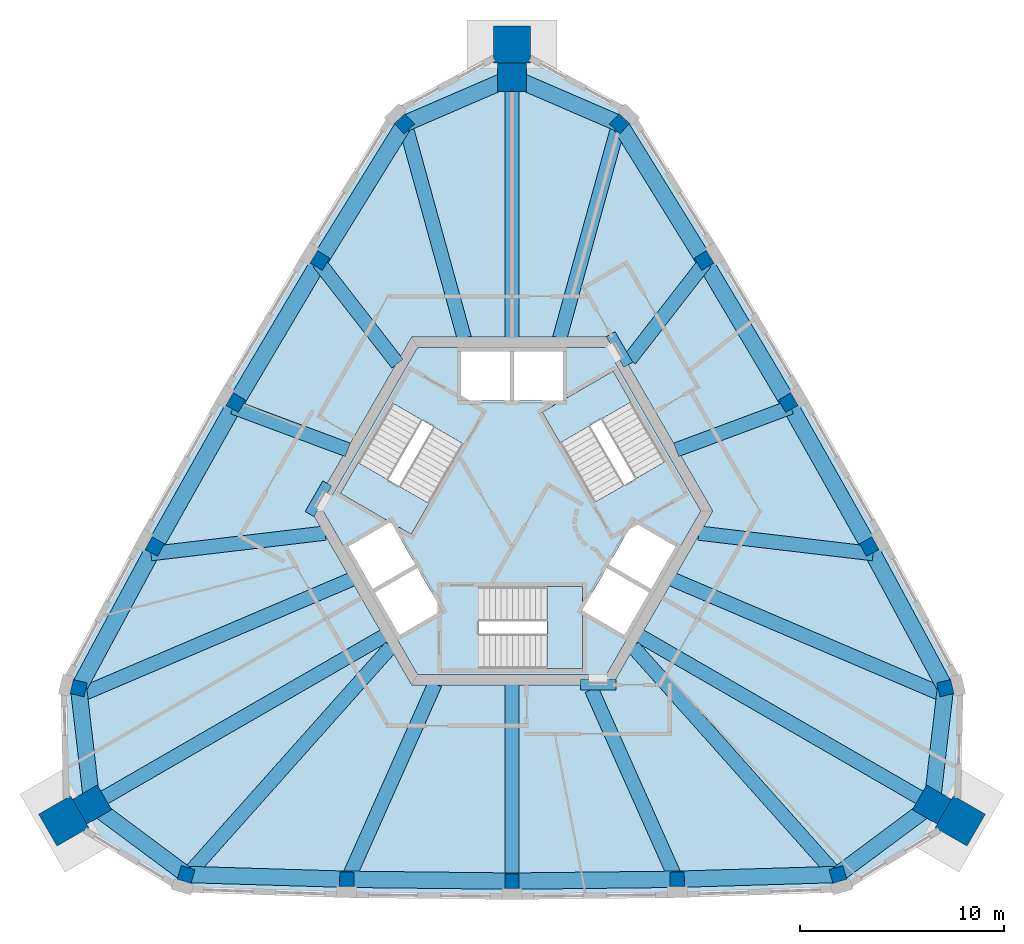
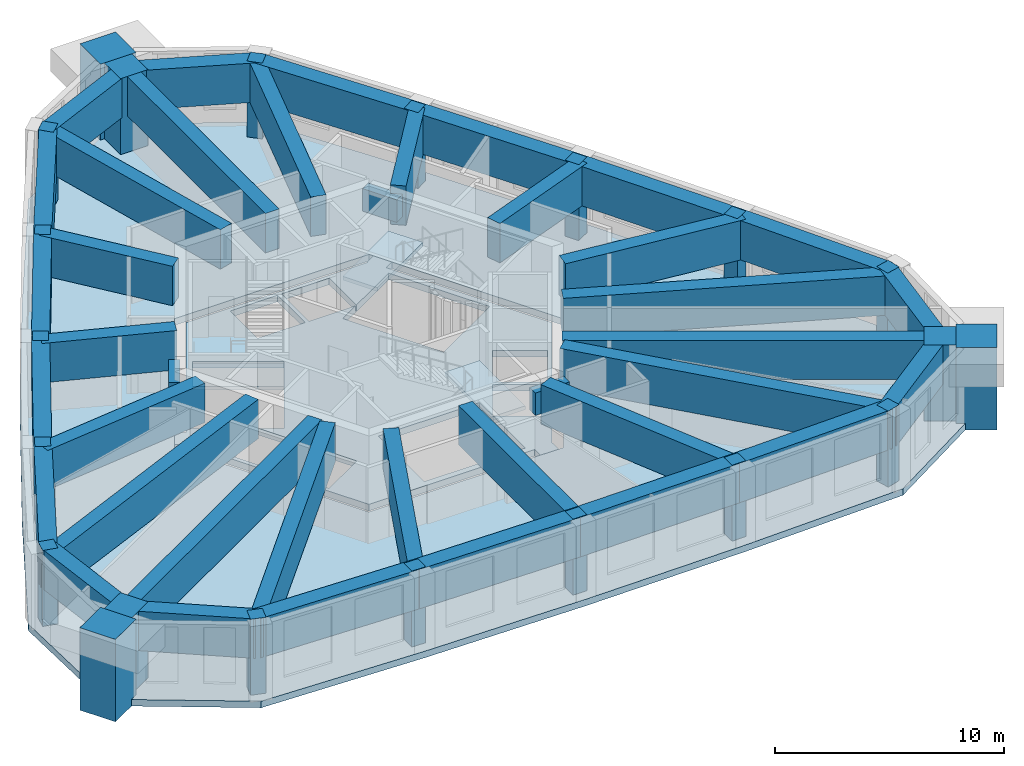
# One storey, part 1 of 9: 39 beams, 21 columns, 5 slabs, 3 elements without a shape of their own.
"""IFC4 building model written with IfcOpenShell, lengths in metres."""

import ifcopenshell
import ifcopenshell.guid

model = None  # the IFC model being written
_history = None  # IfcOwnerHistory: only IFC2X3 demands one
_inside = {}  # id of a spatial element -> (the spatial element, [elements in it])
_under = {}  # id of a project, library or spatial element -> (it, [spatial elements below it])
_declared = {}  # id of a project -> (the project, [libraries it declares])
_typed = {}  # id of a type object -> (the type object, [elements of that type])
_made_of = {}  # id of a material, layer set ... -> (it, [elements and type objects made of it])


def new_model(schema):
    """Start an empty IFC model of exactly this schema.

    Asked for "IFC4X3", IfcOpenShell would pick the latest addendum, in which some entities
    have other attributes; the version numbers below select the first issue.
    IFC2X3 requires an IfcOwnerHistory on every rooted entity: one is made here for all.
    """
    global model, _history
    if schema == "IFC4X3":
        model = ifcopenshell.file(schema_version=(4, 3, 0, 0))
    else:
        model = ifcopenshell.file(schema=schema)
    _inside.clear()
    _under.clear()
    _declared.clear()
    _typed.clear()
    _made_of.clear()
    _history = None
    if model.schema == "IFC2X3":
        org = make("IfcOrganization", Name="unknown")
        user = make(
            "IfcPersonAndOrganization",
            ThePerson=make("IfcPerson", FamilyName="unknown"),
            TheOrganization=org,
        )
        app = make(
            "IfcApplication",
            ApplicationDeveloper=org,
            Version="unknown",
            ApplicationFullName="unknown",
            ApplicationIdentifier="unknown",
        )
        _history = make(
            "IfcOwnerHistory",
            OwningUser=user,
            OwningApplication=app,
            ChangeAction="ADDED",
            CreationDate=0,
        )
    return model


def make(cls, **values):
    """One entity of the class cls with the attributes given. An attribute that is None is left unset."""
    return model.create_entity(
        cls, **{name: value for name, value in values.items() if value is not None}
    )


def rooted(cls, **values):
    """An entity with a GlobalId (a new one), such as an element, a storey or a relation."""
    return make(cls, GlobalId=ifcopenshell.guid.new(), OwnerHistory=_history, **values)


def si_unit(unit_type, name, prefix=None):
    """IfcSIUnit, for example si_unit("LENGTHUNIT", "METRE", prefix="MILLI")."""
    return make("IfcSIUnit", UnitType=unit_type, Prefix=prefix, Name=name)


def assignment(units):
    """IfcUnitAssignment: the units of a project."""
    return None if units is None else make("IfcUnitAssignment", Units=units)


def point(xyz):
    """IfcCartesianPoint."""
    return None if xyz is None else make("IfcCartesianPoint", Coordinates=xyz)


def direction(xyz):
    """IfcDirection."""
    return None if xyz is None else make("IfcDirection", DirectionRatios=xyz)


def frame(location, z_axis=None, x_axis=None):
    """IfcAxis2Placement3D, a coordinate frame: its origin and axes. An axis left out is left unset."""
    return make(
        "IfcAxis2Placement3D",
        Location=point(location),
        Axis=direction(z_axis),
        RefDirection=direction(x_axis),
    )


def frame_2d(location, x_axis=None):
    """IfcAxis2Placement2D, a coordinate frame in the plane: its origin and x axis."""
    return make(
        "IfcAxis2Placement2D", Location=point(location), RefDirection=direction(x_axis)
    )


def origin():
    """The frame at (0, 0, 0) with its axes left unset."""
    return frame((0.0, 0.0, 0.0))


def origin_2d():
    """The frame at (0, 0) in the plane with its x axis left unset."""
    return frame_2d((0.0, 0.0))


def place(relative_to, where):
    """IfcLocalPlacement: puts the frame where relative to a parent placement (None: the world)."""
    return make(
        "IfcLocalPlacement", PlacementRelTo=relative_to, RelativePlacement=where
    )


def context(
    kind, dimensions, precision=None, world=None, true_north=None, identifier=None
):
    """IfcGeometricRepresentationContext, for example the 3D "Model" context."""
    return make(
        "IfcGeometricRepresentationContext",
        ContextIdentifier=identifier,
        ContextType=kind,
        CoordinateSpaceDimension=dimensions,
        Precision=precision,
        WorldCoordinateSystem=world,
        TrueNorth=true_north,
    )


def subcontext(parent, identifier, kind, view, scale=None):
    """IfcGeometricRepresentationSubContext, for example "Body" below "Model"."""
    return make(
        "IfcGeometricRepresentationSubContext",
        ContextIdentifier=identifier,
        ContextType=kind,
        ParentContext=parent,
        TargetScale=scale,
        TargetView=view,
    )


def project(units=None, contexts=None):
    """IfcProject with its units and contexts."""
    return rooted(
        "IfcProject",
        Name="project",
        RepresentationContexts=contexts,
        UnitsInContext=assignment(units),
    )


def spatial(cls, under=None, at=None, **own):
    """A site, building, storey or space (cls), placed at a placement, below another one or the project."""
    s = rooted(cls, ObjectPlacement=at, **own)
    if under is not None:
        _under.setdefault(under.id(), (under, []))[1].append(s)
    return s


def polyline(points):
    """IfcPolyline through the points."""
    return make("IfcPolyline", Points=[point(p) for p in points])


def profile(cls, at=None, kind="AREA", **sizes):
    """A parametric profile (cls). Its sizes go by their IFC names, for example OverallWidth=200.0."""
    return make(cls, ProfileType=kind, Position=at, **sizes)


def rectangle(**sizes):
    """IfcRectangleProfileDef."""
    return profile("IfcRectangleProfileDef", **sizes)


def outline(outer, holes=None, kind="AREA"):
    """IfcArbitraryClosedProfileDef: a profile drawn as a closed curve; with holes, ...WithVoids."""
    if holes is None:
        return make("IfcArbitraryClosedProfileDef", ProfileType=kind, OuterCurve=outer)
    return make(
        "IfcArbitraryProfileDefWithVoids",
        ProfileType=kind,
        OuterCurve=outer,
        InnerCurves=holes,
    )


def extrude(swept, where, along, depth):
    """IfcExtrudedAreaSolid: the profile swept, set in the frame where, extruded along a direction by depth."""
    return make(
        "IfcExtrudedAreaSolid",
        SweptArea=swept,
        Position=where,
        ExtrudedDirection=direction(along),
        Depth=depth,
    )


def shape(context_of_items, identifier, shape_type, items):
    """IfcShapeRepresentation: the items that make up one representation, for example the "Body"."""
    return make(
        "IfcShapeRepresentation",
        ContextOfItems=context_of_items,
        RepresentationIdentifier=identifier,
        RepresentationType=shape_type,
        Items=items,
    )


def material(Name=None, Category=None):
    """IfcMaterial."""
    return make("IfcMaterial", Name=Name, Category=Category)


def layer(
    of_material, thickness, ventilated=None, Name=None, Category=None, Priority=None
):
    """IfcMaterialLayer: one layer of a wall or slab, of a material (None: an air gap)."""
    return make(
        "IfcMaterialLayer",
        Material=of_material,
        LayerThickness=thickness,
        IsVentilated=ventilated,
        Name=Name,
        Category=Category,
        Priority=Priority,
    )


def layer_set(layers, Name=None):
    """IfcMaterialLayerSet."""
    return make("IfcMaterialLayerSet", MaterialLayers=layers, LayerSetName=Name)


def material_profile(
    of_material, cross_section, Name=None, Category=None, Priority=None
):
    """IfcMaterialProfile: a cross section and its material."""
    return make(
        "IfcMaterialProfile",
        Name=Name,
        Material=of_material,
        Profile=cross_section,
        Priority=Priority,
        Category=Category,
    )


def profile_set(profiles, Name=None, composite=None):
    """IfcMaterialProfileSet."""
    return make(
        "IfcMaterialProfileSet",
        Name=Name,
        MaterialProfiles=profiles,
        CompositeProfile=composite,
    )


def made_of(thing, what):
    """Note that an element or type object is made of a material, layer set ...; save() writes the relation."""
    if what is not None:
        _made_of.setdefault(what.id(), (what, []))[1].append(thing)
    return thing


def type_object(cls, material=None, **own):
    """A type object (cls), such as IfcWallType, which elements share."""
    return made_of(rooted(cls, **own), material)


def element(
    cls,
    number,
    at=None,
    inside=None,
    cuts=None,
    type_object=None,
    material=None,
    context=None,
    identifier="Body",
    shape_type=None,
    held_by="IfcProductDefinitionShape",
    body=None,
    shapes=None,
    **own,
):
    """One element of the class cls, such as IfcWall. Its Tag is "e" and its number.

    at: its placement. inside: the storey or other place that contains it. cuts: it is an
    opening in that element (IfcRelVoidsElement). A single representation is given by context,
    identifier, shape_type and body (its items); several are given by shapes. held_by: the class
    of the entity that holds the representations. save() writes the other relations.
    """
    e = rooted(cls, Tag="e%d" % number, ObjectPlacement=at, **own)
    if body is not None:
        shapes = [shape(context, identifier, shape_type, body)]
    if shapes is not None:
        e.Representation = make(held_by, Representations=shapes)
    if inside is not None:
        _inside.setdefault(inside.id(), (inside, []))[1].append(e)
    if cuts is not None:
        rooted(
            "IfcRelVoidsElement", RelatingBuildingElement=cuts, RelatedOpeningElement=e
        )
    if type_object is not None:
        _typed.setdefault(type_object.id(), (type_object, []))[1].append(e)
    return made_of(e, material)


def aggregate(whole, parts):
    """IfcRelAggregates: a whole, such as a stair, and the parts it consists of."""
    return rooted("IfcRelAggregates", RelatingObject=whole, RelatedObjects=parts)


def save(model, path):
    """Write the relations noted so far, then the file.

    IfcRelAggregates (storeys below a building ...), IfcRelContainedInSpatialStructure (elements
    in a storey), IfcRelDefinesByType, IfcRelAssociatesMaterial and IfcRelDeclares: one each for
    every whole, place, type object, material and project.
    """
    for whole, parts in _under.values():
        aggregate(whole, parts)
    for where, things in _inside.values():
        rooted(
            "IfcRelContainedInSpatialStructure",
            RelatedElements=things,
            RelatingStructure=where,
        )
    for kind, things in _typed.values():
        rooted("IfcRelDefinesByType", RelatedObjects=things, RelatingType=kind)
    for what, things in _made_of.values():
        rooted("IfcRelAssociatesMaterial", RelatedObjects=things, RelatingMaterial=what)
    for by, libraries in _declared.values():
        rooted("IfcRelDeclares", RelatingContext=by, RelatedDefinitions=libraries)
    model.write(path)


model = new_model("IFC4")

# Units and contexts
model_context = context("Model", 3, precision=1e-05, world=origin(), true_north=direction((0.0, 1.0)))
body_context = subcontext(model_context, "Body", "Model", "MODEL_VIEW")
ifc_project = project(units=[si_unit("LENGTHUNIT", "METRE"), si_unit("AREAUNIT", "SQUARE_METRE"), si_unit("VOLUMEUNIT", "CUBIC_METRE"), si_unit("PLANEANGLEUNIT", "RADIAN"), si_unit("MASSUNIT", "GRAM", prefix="KILO")], contexts=[model_context])

# Site, building, storey
site_placement = place(None, origin())
site = spatial("IfcSite", under=ifc_project, at=site_placement, CompositionType="ELEMENT")
building_placement = place(site_placement, origin())
building = spatial("IfcBuilding", under=site, at=building_placement, Name="Entoto Arch Interchange Tower", CompositionType="ELEMENT")
storey_placement = place(building_placement, frame((0.0, 0.0, 335.89990234375)))
storey = spatial("IfcBuildingStorey", under=building, at=storey_placement, Name="L79", CompositionType="ELEMENT", Elevation=335.89990234375)

# Columns
ifc_material_1 = material(Name="Concrete C40/50", Category="concrete")
ifc_material_profile_1 = material_profile(ifc_material_1, rectangle(XDim=0.699951171875, YDim=0.699951171875, at=origin_2d()))
ifc_profile_set_1 = profile_set([ifc_material_profile_1], Name="Concrete C40/50")
column_type_1 = type_object("IfcColumnType", Name="Column RC 700x700 C40/50", PredefinedType="COLUMN", material=ifc_profile_set_1)
for number, where, z_axis, x_axis, name in (
    (1, (-15.93603515625, -15.27392578125, -0.349853515625), (0.0, 0.0, 1.0), (-0.958287663895, 0.285805446462, 0.0), "Column S01 L79"),
    (2, (-8.076904296875, -15.509033203125, -0.349853515625), (0.0, 0.0, 1.0), (-0.999748123039, 0.022443049695, 0.0), "Column S02 L79"),
    (3, (0.0, -15.60009765625, -0.349853515625), (0.0, 0.0, 1.0), (1.0, 0.0, 0.0), "Column S03 L79"),
    (4, (8.076904296875, -15.509033203125, -0.349853515625), (0.0, 0.0, 1.0), (0.999748123039, 0.022443049695, 0.0), "Column S04 L79"),
    (5, (15.93603515625, -15.27392578125, -0.349853515625), (0.0, 0.0, 1.0), (0.958287663895, 0.285805446462, 0.0), "Column S05 L79"),
    (6, (21.195068359375, -6.1640625, -0.349853515625), (0.0, 0.0, 1.0), (-0.2316120761, 0.972808226839, 0.0), "Column NE01 L79"),
    (7, (17.470947265625, 0.759033203125, -0.349853515625), (0.0, 0.0, 1.0), (-0.480437810345, 0.877028796785, 0.0), "Column NE02 L79"),
    (8, (13.510009765625, 7.800048828125, -0.349853515625), (0.0, 0.0, 1.0), (-0.5, 0.866025403784, 0.0), "Column NE03 L79"),
    (9, (9.39208984375, 14.7509765625, -0.349853515625), (0.0, 0.0, 1.0), (-0.519310312694, 0.85458574709, 0.0), "Column NE04 L79"),
    (10, (5.260009765625, 21.43798828125, -0.349853515625), (0.0, 0.0, 1.0), (-0.726658609123, 0.686998737835, 0.0), "Column NE05 L79"),
    (11, (-5.260009765625, 21.43798828125, -0.349853515625), (0.0, 0.0, 1.0), (0.726658609123, 0.686998737835, 0.0), "Column NW01 L79"),
    (12, (-9.39208984375, 14.7509765625, -0.349853515625), (0.0, 0.0, 1.0), (0.519310312694, 0.85458574709, 0.0), "Column NW02 L79"),
    (13, (-13.510009765625, 7.800048828125, -0.349853515625), (0.0, 0.0, 1.0), (0.5, 0.866025403784, 0.0), "Column NW03 L79"),
    (14, (-17.470947265625, 0.759033203125, -0.349853515625), (0.0, 0.0, 1.0), (0.480437810345, 0.877028796785, 0.0), "Column NW04 L79"),
    (15, (-21.195068359375, -6.1640625, -0.349853515625), (0.0, 0.0, 1.0), (0.2316120761, 0.972808226839, 0.0), "Column NW05 L79"),
):
    element("IfcColumn", number, at=place(storey_placement, frame(where, z_axis=z_axis, x_axis=x_axis)), inside=storey, type_object=column_type_1, Name=name, PredefinedType="COLUMN", context=body_context, shape_type="SweptSolid", body=[
        extrude(rectangle(XDim=0.699951171875, YDim=0.699951171875, at=origin_2d()), origin(), (0.0, 0.0, 1.0), 4.39990234375),
    ])
ifc_material_2 = material(Name="Precast concrete C40/50", Category="concrete")
ifc_material_profile_2 = material_profile(ifc_material_2, rectangle(XDim=1.800048828125, YDim=1.800048828125, at=origin_2d()))
ifc_profile_set_2 = profile_set([ifc_material_profile_2], Name="Precast concrete C40/50")
column_type_2 = type_object("IfcColumnType", Name="Frame post RC 1800x1800 precast C40/50", PredefinedType="COLUMN", material=ifc_profile_set_2)
for number, where, z_axis, x_axis, name in (
    (16, (21.9208984375, -12.656005859375, -0.349853515625), (0.0, 0.0, 1.0), (-0.866025403784, 0.5, 0.0), "Frame post SE L79"),
    (17, (0.0, 25.31201171875, -0.349853515625), (0.0, 0.0, 1.0), (0.0, 1.0, 0.0), "Frame post N L79"),
    (18, (-21.9208984375, -12.656005859375, -0.349853515625), (0.0, 0.0, 1.0), (0.866025403784, 0.5, 0.0), "Frame post SW L79"),
):
    element("IfcColumn", number, at=place(storey_placement, frame(where, z_axis=z_axis, x_axis=x_axis)), inside=storey, type_object=column_type_2, Name=name, PredefinedType="COLUMN", context=body_context, shape_type="SweptSolid", body=[
        extrude(rectangle(XDim=1.800048828125, YDim=1.800048828125, at=origin_2d()), origin(), (0.0, 0.0, 1.0), 4.39990234375),
    ])
ifc_material_profile_3 = material_profile(ifc_material_1, rectangle(XDim=1.39990234375, YDim=1.39990234375, at=origin_2d()))
ifc_profile_set_3 = profile_set([ifc_material_profile_3], Name="Concrete C40/50")
column_type_3 = type_object("IfcColumnType", Name="Mega column RC 1400x1400 C40/50", PredefinedType="COLUMN", material=ifc_profile_set_3)
for number, where, z_axis, x_axis, name in (
    (19, (20.534912109375, -11.85595703125, -0.349853515625), (0.0, 0.0, 1.0), (-0.866025403784, 0.5, 0.0), "Corner mega column SE1 L79"),
    (20, (0.0, 23.7119140625, -0.349853515625), (0.0, 0.0, 1.0), (0.0, 1.0, 0.0), "Corner mega column N1 L79"),
    (21, (-20.534912109375, -11.85595703125, -0.349853515625), (0.0, 0.0, 1.0), (0.866025403784, 0.5, 0.0), "Corner mega column SW1 L79"),
):
    element("IfcColumn", number, at=place(storey_placement, frame(where, z_axis=z_axis, x_axis=x_axis)), inside=storey, type_object=column_type_3, Name=name, PredefinedType="COLUMN", context=body_context, shape_type="SweptSolid", body=[
        extrude(rectangle(XDim=1.39990234375, YDim=1.39990234375, at=origin_2d()), origin(), (0.0, 0.0, 1.0), 4.39990234375),
    ])

# Beams
ifc_material_profile_4 = material_profile(ifc_material_1, rectangle(XDim=0.5, YDim=1.199951171875, at=origin_2d()))
ifc_profile_set_4 = profile_set([ifc_material_profile_4], Name="Concrete C40/50")
beam_type_1 = type_object("IfcBeamType", Name="Coupling beam RC 500x1200 C40/50", PredefinedType="BEAM", material=ifc_profile_set_4)
for number, where, z_axis, x_axis, name in (
    (22, (5.68603515625, 9.65087890625, 3.0), (-0.500105721196, 0.865964357019, 0.0), (-0.865964357019, -0.500105721196, 0.0), "Coupling beam NE L79"),
    (23, (-9.035888671875, 3.84912109375, 3.0), (-0.500105721196, -0.865964357019, 0.0), (0.865964357019, -0.500105721196, 0.0), "Coupling beam NW L79"),
):
    element("IfcBeam", number, at=place(storey_placement, frame(where, z_axis=z_axis, x_axis=x_axis)), inside=storey, type_object=beam_type_1, Name=name, PredefinedType="BEAM", context=body_context, shape_type="SweptSolid", body=[
        extrude(rectangle(XDim=0.5, YDim=1.199951171875, at=origin_2d()), origin(), (0.0, 0.0, 1.0), 1.727783203125),
    ])
beam_1_placement = place(storey_placement, frame((3.35009765625, -6.0, 3.0), z_axis=(1.0, 0.0, 0.0), x_axis=(0.0, 1.0, 0.0)))
element("IfcBeam", 24, at=beam_1_placement, inside=storey, type_object=beam_type_1, Name="Coupling beam S L79", PredefinedType="BEAM", context=body_context, shape_type="SweptSolid", body=[
    extrude(rectangle(XDim=0.5, YDim=1.199951171875, at=origin_2d()), origin(), (0.0, 0.0, 1.0), 1.725830078125),
])
ifc_material_profile_5 = material_profile(ifc_material_1, rectangle(XDim=0.800048828125, YDim=2.10009765625, at=origin_2d()))
ifc_profile_set_5 = profile_set([ifc_material_profile_5], Name="Concrete C40/50")
beam_type_2 = type_object("IfcBeamType", Name="Crown ring girder RC 800x2100 C40/50", PredefinedType="BEAM", material=ifc_profile_set_5)
beam_2_placement = place(storey_placement, frame((-15.93603515625, -15.27392578125, 3.0), z_axis=(0.999552840699, -0.029901816831, 0.0), x_axis=(0.029901816831, 0.999552840699, 0.0)))
element("IfcBeam", 25, at=beam_2_placement, inside=storey, type_object=beam_type_2, Name="Crown ring girder 01 L79", PredefinedType="BEAM", context=body_context, shape_type="SweptSolid", body=[
    extrude(rectangle(XDim=0.800048828125, YDim=2.10009765625, at=origin_2d()), origin(), (0.0, 0.0, 1.0), 7.862548828125),
])
for number, where, z_axis, x_axis, name in (
    (26, (-8.076904296875, -15.509033203125, 3.0), (0.999936446936, -0.011273956253, 0.0), (0.011273956253, 0.999936446936, 0.0), "Crown ring girder 02 L79"),
    (27, (0.0, -15.60009765625, 3.0), (0.999936446936, 0.011273956253, 0.0), (-0.011273956253, 0.999936446936, 0.0), "Crown ring girder 03 L79"),
):
    element("IfcBeam", number, at=place(storey_placement, frame(where, z_axis=z_axis, x_axis=x_axis)), inside=storey, type_object=beam_type_2, Name=name, PredefinedType="BEAM", context=body_context, shape_type="SweptSolid", body=[
        extrude(rectangle(XDim=0.800048828125, YDim=2.10009765625, at=origin_2d()), origin(), (0.0, 0.0, 1.0), 8.077392578125),
    ])
beam_3_placement = place(storey_placement, frame((8.076904296875, -15.509033203125, 3.0), z_axis=(0.999552840699, 0.029901816831, 0.0), x_axis=(-0.029901816831, 0.999552840699, 0.0)))
element("IfcBeam", 28, at=beam_3_placement, inside=storey, type_object=beam_type_2, Name="Crown ring girder 04 L79", PredefinedType="BEAM", context=body_context, shape_type="SweptSolid", body=[
    extrude(rectangle(XDim=0.800048828125, YDim=2.10009765625, at=origin_2d()), origin(), (0.0, 0.0, 1.0), 7.862548828125),
])
for number, where, z_axis, x_axis, name in (
    (29, (15.93603515625, -15.27392578125, 3.0), (0.802605132016, 0.596510688975, 0.0), (-0.596510688975, 0.802605132016, 0.0), "Crown ring girder 05 L79"),
    (30, (20.534912109375, -11.85595703125, 3.0), (0.115209515434, 0.993341214062, 0.0), (-0.993341214062, 0.115209515434, 0.0), "Crown ring girder 06 L79"),
):
    element("IfcBeam", number, at=place(storey_placement, frame(where, z_axis=z_axis, x_axis=x_axis)), inside=storey, type_object=beam_type_2, Name=name, PredefinedType="BEAM", context=body_context, shape_type="SweptSolid", body=[
        extrude(rectangle(XDim=0.800048828125, YDim=2.10009765625, at=origin_2d()), origin(), (0.0, 0.0, 1.0), 5.72998046875),
    ])
beam_4_placement = place(storey_placement, frame((21.195068359375, -6.1640625, 3.0), z_axis=(-0.47373494039, 0.880667477686, 0.0), x_axis=(-0.880667477686, -0.47373494039, 0.0)))
element("IfcBeam", 31, at=beam_4_placement, inside=storey, type_object=beam_type_2, Name="Crown ring girder 07 L79", PredefinedType="BEAM", context=body_context, shape_type="SweptSolid", body=[
    extrude(rectangle(XDim=0.800048828125, YDim=2.10009765625, at=origin_2d()), origin(), (0.0, 0.0, 1.0), 7.861083984375),
])
beam_5_placement = place(storey_placement, frame((17.470947265625, 0.759033203125, 3.0), z_axis=(-0.490295674358, 0.871556166696, 0.0), x_axis=(-0.871556166696, -0.490295674358, 0.0)))
element("IfcBeam", 32, at=beam_5_placement, inside=storey, type_object=beam_type_2, Name="Crown ring girder 08 L79", PredefinedType="BEAM", context=body_context, shape_type="SweptSolid", body=[
    extrude(rectangle(XDim=0.800048828125, YDim=2.10009765625, at=origin_2d()), origin(), (0.0, 0.0, 1.0), 8.07861328125),
])
beam_6_placement = place(storey_placement, frame((13.510009765625, 7.800048828125, 3.0), z_axis=(-0.509697188935, 0.860353866494, 0.0), x_axis=(-0.860353866494, -0.509697188935, 0.0)))
element("IfcBeam", 33, at=beam_6_placement, inside=storey, type_object=beam_type_2, Name="Crown ring girder 09 L79", PredefinedType="BEAM", context=body_context, shape_type="SweptSolid", body=[
    extrude(rectangle(XDim=0.800048828125, YDim=2.10009765625, at=origin_2d()), origin(), (0.0, 0.0, 1.0), 8.0791015625),
])
beam_7_placement = place(storey_placement, frame((9.39208984375, 14.7509765625, 3.0), z_axis=(-0.525664790452, 0.850691793824, 0.0), x_axis=(-0.850691793824, -0.525664790452, 0.0)))
element("IfcBeam", 34, at=beam_7_placement, inside=storey, type_object=beam_type_2, Name="Crown ring girder 10 L79", PredefinedType="BEAM", context=body_context, shape_type="SweptSolid", body=[
    extrude(rectangle(XDim=0.800048828125, YDim=2.10009765625, at=origin_2d()), origin(), (0.0, 0.0, 1.0), 7.860595703125),
])
for number, where, z_axis, x_axis, name in (
    (35, (5.260009765625, 21.43798828125, 3.0), (-0.917899817995, 0.39681220259, 0.0), (-0.39681220259, -0.917899817995, 0.0), "Crown ring girder 11 L79"),
    (36, (0.0, 23.7119140625, 3.0), (-0.917899817995, -0.39681220259, 0.0), (0.39681220259, -0.917899817995, 0.0), "Crown ring girder 12 L79"),
):
    element("IfcBeam", number, at=place(storey_placement, frame(where, z_axis=z_axis, x_axis=x_axis)), inside=storey, type_object=beam_type_2, Name=name, PredefinedType="BEAM", context=body_context, shape_type="SweptSolid", body=[
        extrude(rectangle(XDim=0.800048828125, YDim=2.10009765625, at=origin_2d()), origin(), (0.0, 0.0, 1.0), 5.73046875),
    ])
beam_8_placement = place(storey_placement, frame((-5.260009765625, 21.43798828125, 3.0), z_axis=(-0.525664790452, -0.850691793824, 0.0), x_axis=(0.850691793824, -0.525664790452, 0.0)))
element("IfcBeam", 37, at=beam_8_placement, inside=storey, type_object=beam_type_2, Name="Crown ring girder 13 L79", PredefinedType="BEAM", context=body_context, shape_type="SweptSolid", body=[
    extrude(rectangle(XDim=0.800048828125, YDim=2.10009765625, at=origin_2d()), origin(), (0.0, 0.0, 1.0), 7.860595703125),
])
beam_9_placement = place(storey_placement, frame((-9.39208984375, 14.7509765625, 3.0), z_axis=(-0.509697188935, -0.860353866494, 0.0), x_axis=(0.860353866494, -0.509697188935, 0.0)))
element("IfcBeam", 38, at=beam_9_placement, inside=storey, type_object=beam_type_2, Name="Crown ring girder 14 L79", PredefinedType="BEAM", context=body_context, shape_type="SweptSolid", body=[
    extrude(rectangle(XDim=0.800048828125, YDim=2.10009765625, at=origin_2d()), origin(), (0.0, 0.0, 1.0), 8.0791015625),
])
beam_10_placement = place(storey_placement, frame((-13.510009765625, 7.800048828125, 3.0), z_axis=(-0.490295674358, -0.871556166696, 0.0), x_axis=(0.871556166696, -0.490295674358, 0.0)))
element("IfcBeam", 39, at=beam_10_placement, inside=storey, type_object=beam_type_2, Name="Crown ring girder 15 L79", PredefinedType="BEAM", context=body_context, shape_type="SweptSolid", body=[
    extrude(rectangle(XDim=0.800048828125, YDim=2.10009765625, at=origin_2d()), origin(), (0.0, 0.0, 1.0), 8.07861328125),
])
beam_11_placement = place(storey_placement, frame((-17.470947265625, 0.759033203125, 3.0), z_axis=(-0.47373494039, -0.880667477686, 0.0), x_axis=(0.880667477686, -0.47373494039, 0.0)))
element("IfcBeam", 40, at=beam_11_placement, inside=storey, type_object=beam_type_2, Name="Crown ring girder 16 L79", PredefinedType="BEAM", context=body_context, shape_type="SweptSolid", body=[
    extrude(rectangle(XDim=0.800048828125, YDim=2.10009765625, at=origin_2d()), origin(), (0.0, 0.0, 1.0), 7.861083984375),
])
for number, where, z_axis, x_axis, name in (
    (41, (-21.195068359375, -6.1640625, 3.0), (0.115209515434, -0.993341214062, 0.0), (0.993341214062, 0.115209515434, 0.0), "Crown ring girder 17 L79"),
    (42, (-20.534912109375, -11.85595703125, 3.0), (0.802605132016, -0.596510688975, 0.0), (0.596510688975, 0.802605132016, 0.0), "Crown ring girder 18 L79"),
):
    element("IfcBeam", number, at=place(storey_placement, frame(where, z_axis=z_axis, x_axis=x_axis)), inside=storey, type_object=beam_type_2, Name=name, PredefinedType="BEAM", context=body_context, shape_type="SweptSolid", body=[
        extrude(rectangle(XDim=0.800048828125, YDim=2.10009765625, at=origin_2d()), origin(), (0.0, 0.0, 1.0), 5.72998046875),
    ])
ifc_material_profile_6 = material_profile(ifc_material_1, rectangle(XDim=0.699951171875, YDim=2.10009765625, at=origin_2d()))
ifc_profile_set_6 = profile_set([ifc_material_profile_6], Name="Concrete C40/50")
beam_type_3 = type_object("IfcBeamType", Name="Crown transfer beam RC 700x2100 C40/50", PredefinedType="BEAM", material=ifc_profile_set_6)
beam_12_placement = place(storey_placement, frame((-5.923095703125, -4.14599609375, 3.0), z_axis=(-0.66528620854, -0.746588414541, 0.0), x_axis=(0.746588414541, -0.66528620854, 0.0)))
element("IfcBeam", 43, at=beam_12_placement, inside=storey, type_object=beam_type_3, Name="Transfer beam S01 L79", PredefinedType="BEAM", context=body_context, shape_type="SweptSolid", body=[
    extrude(rectangle(XDim=0.699951171875, YDim=2.10009765625, at=origin_2d()), origin(), (0.0, 0.0, 1.0), 14.9091796875),
])
beam_13_placement = place(storey_placement, frame((-3.76708984375, -5.9541015625, 3.0), z_axis=(-0.406995738322, -0.913430056976, 0.0), x_axis=(0.913430056976, -0.406995738322, 0.0)))
element("IfcBeam", 44, at=beam_13_placement, inside=storey, type_object=beam_type_3, Name="Transfer beam S02 L79", PredefinedType="BEAM", context=body_context, shape_type="SweptSolid", body=[
    extrude(rectangle(XDim=0.699951171875, YDim=2.10009765625, at=origin_2d()), origin(), (0.0, 0.0, 1.0), 10.461669921875),
])
beam_14_placement = place(storey_placement, frame((0.0, -5.949951171875, 3.0), z_axis=(0.0, -1.0, 0.0), x_axis=(1.0, 0.0, 0.0)))
element("IfcBeam", 45, at=beam_14_placement, inside=storey, type_object=beam_type_3, Name="Transfer beam S03 L79", PredefinedType="BEAM", context=body_context, shape_type="SweptSolid", body=[
    extrude(rectangle(XDim=0.699951171875, YDim=2.10009765625, at=origin_2d()), origin(), (0.0, 0.0, 1.0), 9.650146484375),
])
beam_15_placement = place(storey_placement, frame((3.888916015625, -6.22802734375, 3.0), z_axis=(0.407014339703, -0.913421768558, 0.0), x_axis=(0.913421768558, 0.407014339703, 0.0)))
element("IfcBeam", 46, at=beam_15_placement, inside=storey, type_object=beam_type_3, Name="Transfer beam S04 L79", PredefinedType="BEAM", context=body_context, shape_type="SweptSolid", body=[
    extrude(rectangle(XDim=0.699951171875, YDim=2.10009765625, at=origin_2d()), origin(), (0.0, 0.0, 1.0), 10.161865234375),
])
beam_16_placement = place(storey_placement, frame((5.923095703125, -4.14599609375, 3.0), z_axis=(0.66528620854, -0.746588414541, 0.0), x_axis=(0.746588414541, 0.66528620854, 0.0)))
element("IfcBeam", 47, at=beam_16_placement, inside=storey, type_object=beam_type_3, Name="Transfer beam S05 L79", PredefinedType="BEAM", context=body_context, shape_type="SweptSolid", body=[
    extrude(rectangle(XDim=0.699951171875, YDim=2.10009765625, at=origin_2d()), origin(), (0.0, 0.0, 1.0), 14.9091796875),
])
beam_17_placement = place(storey_placement, frame((6.235107421875, -3.60009765625, 3.0), z_axis=(0.866032391356, -0.499987896975, 0.0), x_axis=(0.499987896975, 0.866032391356, 0.0)))
element("IfcBeam", 48, at=beam_17_placement, inside=storey, type_object=beam_type_3, Name="Transfer beam SE1 L79", PredefinedType="BEAM", context=body_context, shape_type="SweptSolid", body=[
    extrude(rectangle(XDim=0.699951171875, YDim=2.10009765625, at=origin_2d()), origin(), (0.0, 0.0, 1.0), 16.162109375),
])
beam_18_placement = place(storey_placement, frame((7.8310546875, -0.8369140625, 3.0), z_axis=(0.919940109963, -0.392058916593, 0.0), x_axis=(0.392058916593, 0.919940109963, 0.0)))
element("IfcBeam", 49, at=beam_18_placement, inside=storey, type_object=beam_type_3, Name="Transfer beam NE01 L79", PredefinedType="BEAM", context=body_context, shape_type="SweptSolid", body=[
    extrude(rectangle(XDim=0.699951171875, YDim=2.10009765625, at=origin_2d()), origin(), (0.0, 0.0, 1.0), 14.482421875),
])
beam_19_placement = place(storey_placement, frame((9.138916015625, 1.419921875, 3.0), z_axis=(0.993099995643, -0.11727062144, 0.0), x_axis=(0.11727062144, 0.993099995643, 0.0)))
element("IfcBeam", 50, at=beam_19_placement, inside=storey, type_object=beam_type_3, Name="Transfer beam NE02 L79", PredefinedType="BEAM", context=body_context, shape_type="SweptSolid", body=[
    extrude(rectangle(XDim=0.699951171875, YDim=2.10009765625, at=origin_2d()), origin(), (0.0, 0.0, 1.0), 8.5771484375),
])
beam_20_placement = place(storey_placement, frame((8.030029296875, 5.491943359375, 3.0), z_axis=(0.937061949617, 0.349163146078, 0.0), x_axis=(-0.349163146078, 0.937061949617, 0.0)))
element("IfcBeam", 51, at=beam_20_placement, inside=storey, type_object=beam_type_3, Name="Transfer beam NE03 L79", PredefinedType="BEAM", context=body_context, shape_type="SweptSolid", body=[
    extrude(rectangle(XDim=0.699951171875, YDim=2.10009765625, at=origin_2d()), origin(), (0.0, 0.0, 1.0), 5.98046875),
])
beam_21_placement = place(storey_placement, frame((5.75390625, 9.904052734375, 3.0), z_axis=(0.613488471004, 0.789703676036, 0.0), x_axis=(-0.789703676036, 0.613488471004, 0.0)))
element("IfcBeam", 52, at=beam_21_placement, inside=storey, type_object=beam_type_3, Name="Transfer beam NE04 L79", PredefinedType="BEAM", context=body_context, shape_type="SweptSolid", body=[
    extrude(rectangle(XDim=0.699951171875, YDim=2.10009765625, at=origin_2d()), origin(), (0.0, 0.0, 1.0), 6.019775390625),
])
beam_22_placement = place(storey_placement, frame((2.3330078125, 10.951904296875, 3.0), z_axis=(0.265987898377, 0.963976367925, 0.0), x_axis=(-0.963976367925, 0.265987898377, 0.0)))
element("IfcBeam", 53, at=beam_22_placement, inside=storey, type_object=beam_type_3, Name="Transfer beam NE05 L79", PredefinedType="BEAM", context=body_context, shape_type="SweptSolid", body=[
    extrude(rectangle(XDim=0.699951171875, YDim=2.10009765625, at=origin_2d()), origin(), (0.0, 0.0, 1.0), 10.891357421875),
])
beam_23_placement = place(storey_placement, frame((0.0, 10.949951171875, 3.0), z_axis=(0.0, 1.0, 0.0), x_axis=(-1.0, 0.0, 0.0)))
element("IfcBeam", 54, at=beam_23_placement, inside=storey, type_object=beam_type_3, Name="Transfer beam N1 L79", PredefinedType="BEAM", context=body_context, shape_type="SweptSolid", body=[
    extrude(rectangle(XDim=0.699951171875, YDim=2.10009765625, at=origin_2d()), origin(), (0.0, 0.0, 1.0), 12.412109375),
])
beam_24_placement = place(storey_placement, frame((-2.3330078125, 10.951904296875, 3.0), z_axis=(-0.265987898377, 0.963976367925, 0.0), x_axis=(-0.963976367925, -0.265987898377, 0.0)))
element("IfcBeam", 55, at=beam_24_placement, inside=storey, type_object=beam_type_3, Name="Transfer beam NW01 L79", PredefinedType="BEAM", context=body_context, shape_type="SweptSolid", body=[
    extrude(rectangle(XDim=0.699951171875, YDim=2.10009765625, at=origin_2d()), origin(), (0.0, 0.0, 1.0), 10.891357421875),
])
beam_25_placement = place(storey_placement, frame((-5.60009765625, 9.70703125, 3.0), z_axis=(-0.613563133765, 0.789645667933, 0.0), x_axis=(-0.789645667933, -0.613563133765, 0.0)))
element("IfcBeam", 56, at=beam_25_placement, inside=storey, type_object=beam_type_3, Name="Transfer beam NW02 L79", PredefinedType="BEAM", context=body_context, shape_type="SweptSolid", body=[
    extrude(rectangle(XDim=0.699951171875, YDim=2.10009765625, at=origin_2d()), origin(), (0.0, 0.0, 1.0), 6.269775390625),
])
beam_26_placement = place(storey_placement, frame((-8.030029296875, 5.491943359375, 3.0), z_axis=(-0.937061949617, 0.349163146078, 0.0), x_axis=(-0.349163146078, -0.937061949617, 0.0)))
element("IfcBeam", 57, at=beam_26_placement, inside=storey, type_object=beam_type_3, Name="Transfer beam NW03 L79", PredefinedType="BEAM", context=body_context, shape_type="SweptSolid", body=[
    extrude(rectangle(XDim=0.699951171875, YDim=2.10009765625, at=origin_2d()), origin(), (0.0, 0.0, 1.0), 5.98046875),
])
beam_27_placement = place(storey_placement, frame((-9.138916015625, 1.419921875, 3.0), z_axis=(-0.993099995643, -0.11727062144, 0.0), x_axis=(0.11727062144, -0.993099995643, 0.0)))
element("IfcBeam", 58, at=beam_27_placement, inside=storey, type_object=beam_type_3, Name="Transfer beam NW04 L79", PredefinedType="BEAM", context=body_context, shape_type="SweptSolid", body=[
    extrude(rectangle(XDim=0.699951171875, YDim=2.10009765625, at=origin_2d()), origin(), (0.0, 0.0, 1.0), 8.5771484375),
])
beam_28_placement = place(storey_placement, frame((-7.8310546875, -0.8369140625, 3.0), z_axis=(-0.919940109963, -0.392058916593, 0.0), x_axis=(0.392058916593, -0.919940109963, 0.0)))
element("IfcBeam", 59, at=beam_28_placement, inside=storey, type_object=beam_type_3, Name="Transfer beam NW05 L79", PredefinedType="BEAM", context=body_context, shape_type="SweptSolid", body=[
    extrude(rectangle(XDim=0.699951171875, YDim=2.10009765625, at=origin_2d()), origin(), (0.0, 0.0, 1.0), 14.482421875),
])
beam_29_placement = place(storey_placement, frame((-6.235107421875, -3.60009765625, 3.0), z_axis=(-0.866032391356, -0.499987896975, 0.0), x_axis=(0.499987896975, -0.866032391356, 0.0)))
element("IfcBeam", 60, at=beam_29_placement, inside=storey, type_object=beam_type_3, Name="Transfer beam SW1 L79", PredefinedType="BEAM", context=body_context, shape_type="SweptSolid", body=[
    extrude(rectangle(XDim=0.699951171875, YDim=2.10009765625, at=origin_2d()), origin(), (0.0, 0.0, 1.0), 16.162109375),
])

# Slab
ifc_layer_1 = layer(ifc_material_1, 0.35009765625)
ifc_layer_set_1 = layer_set([ifc_layer_1], Name="Concrete C40/50")
slab_type_1 = type_object("IfcSlabType", Name="Core floor slab 350 C40/50", PredefinedType="FLOOR", material=ifc_layer_set_1)
slab_1_placement = place(storey_placement, frame((0.0, 0.0, -0.349853515625)))
element("IfcSlab", 61, at=slab_1_placement, inside=storey, type_object=slab_type_1, Name="Core floor slab L79", PredefinedType="FLOOR", context=body_context, shape_type="SweptSolid", body=[
    extrude(outline(polyline([(-9.208984375, 2.449951171875), (-9.222900390625, 2.425048828125), (-9.699951171875, 2.699951171875), (-9.236083984375, 3.501953125), (-8.802978515625, 3.2529296875), (-4.618896484375, 10.5), (4.56103515625, 10.5), (4.5458984375, 10.52490234375), (5.02197265625, 10.800048828125), (5.486083984375, 9.998046875), (5.052978515625, 9.748046875), (9.238037109375, 2.5), (4.64794921875, -5.449951171875), (4.676025390625, -5.449951171875), (4.676025390625, -6.0), (3.75, -6.0), (3.75, -5.5), (-4.618896484375, -5.5), (-9.208984375, 2.449951171875)]), holes=[polyline([(-1.64990234375, -5.199951171875), (3.449951171875, -5.199951171875), (3.449951171875, -2.3779296875), (5.5048828125, -3.56494140625), (6.705078125, -1.487060546875), (4.626953125, -0.287109375), (3.449951171875, -2.324951171875), (3.449951171875, -1.199951171875), (-1.64990234375, -1.199951171875), (-1.64990234375, -5.199951171875)]), polyline([(-4.626953125, -0.287109375), (-6.705078125, -1.487060546875), (-5.5048828125, -3.56494140625), (-3.427001953125, -2.364990234375), (-4.626953125, -0.287109375)]), polyline([(-5.904052734375, 1.925048828125), (-4.928955078125, 1.362060546875), (-2.37890625, 5.779052734375), (-5.843017578125, 7.779052734375), (-8.39306640625, 3.362060546875), (-5.949951171875, 1.951904296875), (-8.0048828125, 0.764892578125), (-6.804931640625, -1.31298828125), (-4.72705078125, -0.113037109375), (-5.904052734375, 1.925048828125)]), polyline([(4.72705078125, -0.113037109375), (6.804931640625, -1.31298828125), (8.0048828125, 0.764892578125), (5.927001953125, 1.965087890625), (4.72705078125, -0.113037109375)]), polyline([(2.5, 7.927001953125), (2.5, 10.300048828125), (0.10009765625, 10.300048828125), (0.10009765625, 7.89990234375), (2.452880859375, 7.89990234375), (1.47900390625, 7.337890625), (4.029052734375, 2.9208984375), (7.492919921875, 4.9208984375), (4.943115234375, 9.337890625), (2.5, 7.927001953125)]), polyline([(-2.5, 7.89990234375), (-0.10009765625, 7.89990234375), (-0.10009765625, 10.300048828125), (-2.5, 10.300048828125), (-2.5, 7.89990234375)])]), origin(), (0.0, 0.0, 1.0), 0.349853515625),
])

# Stair, slab
stair_type = type_object("IfcStairType", Name="EXIT STAIR RC 1700", PredefinedType="HALF_TURN_STAIR", material=ifc_material_1)
stair_1_placement = place(storey_placement, origin())
stair_1 = element("IfcStair", 62, at=stair_1_placement, inside=storey, type_object=stair_type, Name="L79 Exit stair S", PredefinedType="HALF_TURN_STAIR")
ifc_layer_2 = layer(ifc_material_1, 0.199951171875)
ifc_layer_set_2 = layer_set([ifc_layer_2], Name="Concrete C40/50")
slab_type_2 = type_object("IfcSlabType", Name="EXIT STAIR LANDING RC 200", PredefinedType="LANDING", material=ifc_layer_set_2)
slab_2_placement = place(storey_placement, frame((0.0, 0.0, 2.050048828125)))
slab_2 = element("IfcSlab", 63, at=slab_2_placement, type_object=slab_type_2, Name="ST-S landing 1", PredefinedType="LANDING", context=body_context, shape_type="SweptSolid", body=[
    extrude(outline(polyline([(1.7099609375, -5.199951171875), (3.449951171875, -5.199951171875), (3.449951171875, -1.199951171875), (1.7099609375, -1.199951171875), (1.7099609375, -5.199951171875)])), origin(), (0.0, 0.0, 1.0), 0.199951171875),
])
aggregate(stair_1, [slab_2])

stair_2_placement = place(storey_placement, origin())
stair_2 = element("IfcStair", 64, at=stair_2_placement, inside=storey, type_object=stair_type, Name="L79 Exit stair NE", PredefinedType="HALF_TURN_STAIR")
slab_3_placement = place(storey_placement, frame((0.0, 0.0, 2.050048828125)))
slab_3 = element("IfcSlab", 65, at=slab_3_placement, type_object=slab_type_2, Name="ST-NE landing 1", PredefinedType="LANDING", context=body_context, shape_type="SweptSolid", body=[
    extrude(outline(polyline([(5.8134765625, 7.830810546875), (4.943359375, 9.337890625), (1.479248046875, 7.337890625), (2.349365234375, 5.830810546875), (5.8134765625, 7.830810546875)])), origin(), (0.0, 0.0, 1.0), 0.199951171875),
])
aggregate(stair_2, [slab_3])

stair_3_placement = place(storey_placement, origin())
stair_3 = element("IfcStair", 66, at=stair_3_placement, inside=storey, type_object=stair_type, Name="L79 Exit stair NW", PredefinedType="HALF_TURN_STAIR")
slab_4_placement = place(storey_placement, frame((0.0, 0.0, 2.050048828125)))
slab_4 = element("IfcSlab", 67, at=slab_4_placement, type_object=slab_type_2, Name="ST-NW landing 1", PredefinedType="LANDING", context=body_context, shape_type="SweptSolid", body=[
    extrude(outline(polyline([(-7.5234375, 4.869140625), (-8.393310546875, 3.3623046875), (-4.92919921875, 1.3623046875), (-4.059326171875, 2.869140625), (-7.5234375, 4.869140625)])), origin(), (0.0, 0.0, 1.0), 0.199951171875),
])
aggregate(stair_3, [slab_4])

# Slab
ifc_layer_3 = layer(ifc_material_1, 0.35009765625)
ifc_layer_set_3 = layer_set([ifc_layer_3], Name="Concrete C40/50")
slab_type_3 = type_object("IfcSlabType", Name="Post-tensioned flat plate 350 C40/50", PredefinedType="FLOOR", material=ifc_layer_set_3)
slab_5_placement = place(storey_placement, frame((0.0, 0.0, -0.349853515625)))
element("IfcSlab", 68, at=slab_5_placement, inside=storey, type_object=slab_type_3, Name="Floor slab L79", PredefinedType="FLOOR", context=body_context, shape_type="SweptSolid", body=[
    extrude(outline(polyline([(-16.193115234375, -16.135986328125), (-8.096923828125, -16.408935546875), (0.0, -16.5), (8.096923828125, -16.408935546875), (16.193115234375, -16.135986328125), (21.9208984375, -12.656005859375), (22.071044921875, -5.9560546875), (18.260009765625, 1.19091796875), (14.2890625, 8.25), (10.160888671875, 15.218017578125), (5.8779296875, 22.092041015625), (0.0, 25.31201171875), (-5.8779296875, 22.092041015625), (-10.160888671875, 15.218017578125), (-14.2890625, 8.25), (-18.260009765625, 1.19091796875), (-22.071044921875, -5.9560546875), (-21.9208984375, -12.656005859375), (-16.193115234375, -16.135986328125)]), holes=[polyline([(4.906982421875, 11.0), (-4.906982421875, 11.0), (-9.81494140625, 2.5), (-4.906982421875, -6.0), (4.906982421875, -6.0), (9.81494140625, 2.5), (4.906982421875, 11.0)])]), origin(), (0.0, 0.0, 1.0), 0.349853515625),
])

save(model, "model.ifc")
